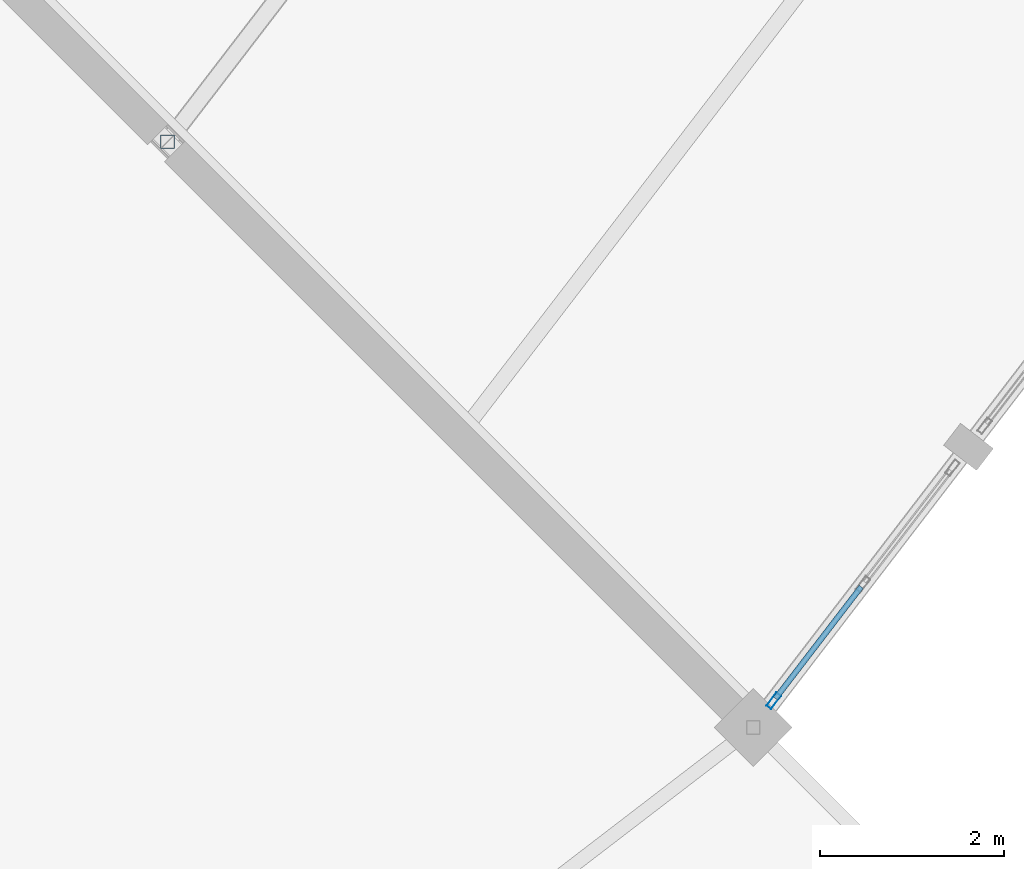
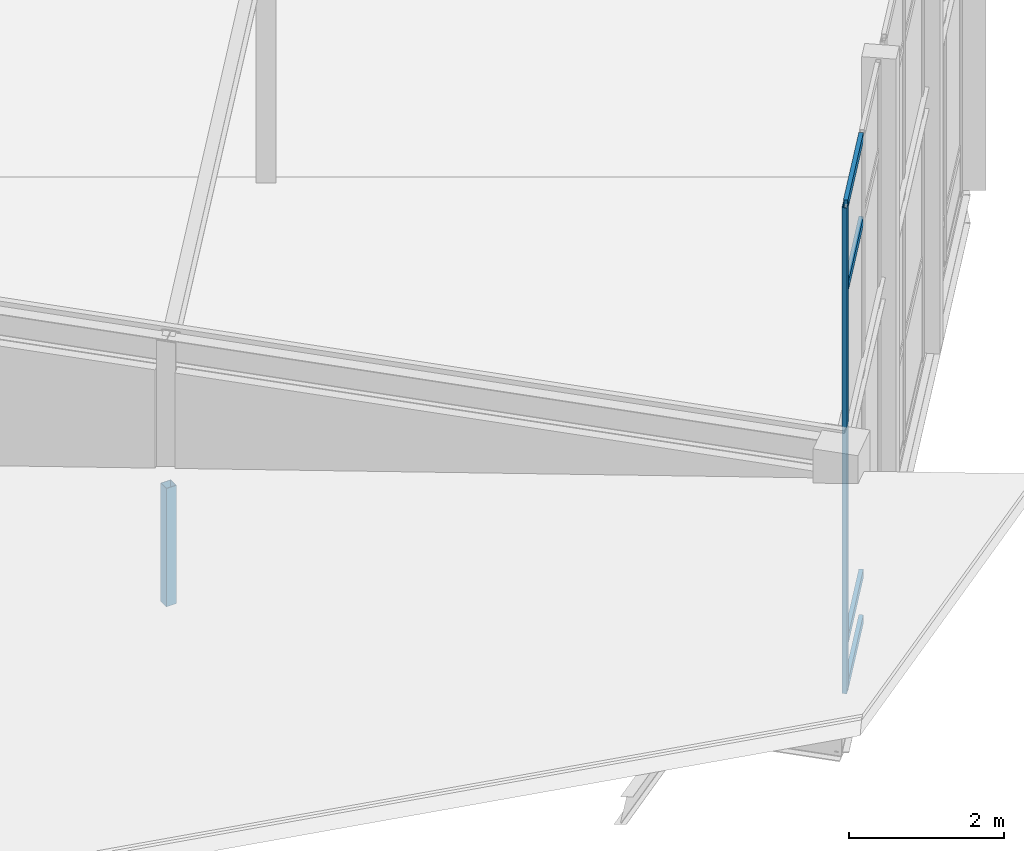
# One storey, part 105 of 185: 6 members, 1 element without a shape of its own.
"""IFC4 building model written with IfcOpenShell, lengths in metres."""

from ifc_helpers import new_model, si_unit, direction, frame, origin, origin_2d, place, context, subcontext, project, spatial, hollow_rectangle, extrude, material, material_profile, profile_set, type_object, element, aggregate, save


model = new_model("IFC4")

# Units and contexts
model_context = context("Model", 3, precision=1e-05, world=origin(), true_north=direction((0.0, 1.0)))
body_context = subcontext(model_context, "Body", "Model", "MODEL_VIEW")
ifc_project = project(units=[si_unit("LENGTHUNIT", "METRE"), si_unit("AREAUNIT", "SQUARE_METRE"), si_unit("VOLUMEUNIT", "CUBIC_METRE"), si_unit("PLANEANGLEUNIT", "RADIAN"), si_unit("MASSUNIT", "GRAM", prefix="KILO")], contexts=[model_context])

# Site, building, storey
site_placement = place(None, origin())
site = spatial("IfcSite", under=ifc_project, at=site_placement, CompositionType="ELEMENT")
building_placement = place(site_placement, origin())
building = spatial("IfcBuilding", under=site, at=building_placement, Name="Vondelvale Polytechnic", CompositionType="ELEMENT")
storey_placement = place(building_placement, frame((0.0, 0.0, 9.60009765625)))
storey = spatial("IfcBuildingStorey", under=building, at=storey_placement, Name="L02", CompositionType="ELEMENT", Elevation=9.60009765625)

# Curtain wall, members
ifc_material_1 = material(Name="Glulam GL18 structural Tasmanian oak (fb = 42 MPa)", Category="wood")
curtain_wall_type = type_object("IfcCurtainWallType", Name="CW-RING-OUTER", PredefinedType="NOTDEFINED", material=ifc_material_1)
curtain_wall_placement = place(storey_placement, origin())
curtain_wall = element("IfcCurtainWall", 1, at=curtain_wall_placement, inside=storey, type_object=curtain_wall_type, Name="L02 architectural curtain wall CW-04-356", PredefinedType="NOTDEFINED")
ifc_material_2 = material(Name="Anodised extruded aluminium 6063-T6", Category="aluminium")
ifc_material_profile_1 = material_profile(ifc_material_2, hollow_rectangle(XDim=0.06494140625, YDim=0.179931640625, WallThickness=0.00390625, at=origin_2d()), Name="CW-MUL-180x65")
ifc_profile_set_1 = profile_set([ifc_material_profile_1], Name="Anodised extruded aluminium 6063-T6")
member_type_1 = type_object("IfcMemberType", Name="CW-MUL-65x180", PredefinedType="MULLION", material=ifc_profile_set_1)
member_1_placement = place(storey_placement, frame((134.749267578125, 39.762939453125, 0.0), z_axis=(0.0, 0.0, 1.0), x_axis=(-0.793333825656, 0.608786860133, 0.0)))
member_1 = element("IfcMember", 2, at=member_1_placement, type_object=member_type_1, Name="CW-04-356 mullion 1", PredefinedType="MULLION", context=body_context, shape_type="SweptSolid", body=[
    extrude(hollow_rectangle(XDim=0.06494140625, YDim=0.179931640625, WallThickness=0.00390625, at=origin_2d()), origin(), (0.0, 0.0, 1.0), 7.661376953125),
])
ifc_material_profile_2 = material_profile(ifc_material_2, hollow_rectangle(XDim=0.06005859375, YDim=0.139892578125, WallThickness=0.00341796875, at=origin_2d()), Name="CW-TRN-140x60")
ifc_profile_set_2 = profile_set([ifc_material_profile_2], Name="Anodised extruded aluminium 6063-T6")
member_type_2 = type_object("IfcMemberType", Name="CW-TRN-60x140", PredefinedType="USERDEFINED", material=ifc_profile_set_2)
member_2_placement = place(storey_placement, frame((134.76904296875, 39.78857421875, 0.02978515625), z_axis=(0.608746385664, 0.793364883229, 0.0), x_axis=(-0.793364883229, 0.608746385664, 0.0)))
member_2 = element("IfcMember", 3, at=member_2_placement, type_object=member_type_2, Name="CW-04-356 transom 1.1", ObjectType="TRANSOM", PredefinedType="USERDEFINED", context=body_context, shape_type="SweptSolid", body=[
    extrude(hollow_rectangle(XDim=0.06005859375, YDim=0.139892578125, WallThickness=0.00341796875, at=origin_2d()), origin(), (0.0, 0.0, 1.0), 1.530029296875),
])
member_3_placement = place(storey_placement, frame((134.76904296875, 39.78857421875, 0.75), z_axis=(0.608746385664, 0.793364883229, 0.0), x_axis=(-0.793364883229, 0.608746385664, 0.0)))
member_3 = element("IfcMember", 4, at=member_3_placement, type_object=member_type_2, Name="CW-04-356 transom 1.2", ObjectType="TRANSOM", PredefinedType="USERDEFINED", context=body_context, shape_type="SweptSolid", body=[
    extrude(hollow_rectangle(XDim=0.06005859375, YDim=0.139892578125, WallThickness=0.00341796875, at=origin_2d()), origin(), (0.0, 0.0, 1.0), 1.530029296875),
])
member_4_placement = place(storey_placement, frame((134.76904296875, 39.78857421875, 6.311279296875), z_axis=(0.608746385664, 0.793364883229, 0.0), x_axis=(-0.793364883229, 0.608746385664, 0.0)))
member_4 = element("IfcMember", 5, at=member_4_placement, type_object=member_type_2, Name="CW-04-356 transom 1.3", ObjectType="TRANSOM", PredefinedType="USERDEFINED", context=body_context, shape_type="SweptSolid", body=[
    extrude(hollow_rectangle(XDim=0.06005859375, YDim=0.139892578125, WallThickness=0.00341796875, at=origin_2d()), origin(), (0.0, 0.0, 1.0), 1.530029296875),
])
member_5_placement = place(storey_placement, frame((134.76904296875, 39.78857421875, 7.63134765625), z_axis=(0.608746385664, 0.793364883229, 0.0), x_axis=(-0.793364883229, 0.608746385664, 0.0)))
member_5 = element("IfcMember", 6, at=member_5_placement, type_object=member_type_2, Name="CW-04-356 transom 1.4", ObjectType="TRANSOM", PredefinedType="USERDEFINED", context=body_context, shape_type="SweptSolid", body=[
    extrude(hollow_rectangle(XDim=0.06005859375, YDim=0.139892578125, WallThickness=0.00341796875, at=origin_2d()), origin(), (0.0, 0.0, 1.0), 1.530029296875),
])
aggregate(curtain_wall, [member_1, member_2, member_3, member_4, member_5])

# Member
ifc_material_3 = material(Name="Steel C350L0 (fy = 350 MPa)", Category="steel")
ifc_material_profile_3 = material_profile(ifc_material_3, hollow_rectangle(XDim=0.14990234375, YDim=0.14990234375, WallThickness=0.006103515625, at=origin_2d()), Name="150x150x6.0SHS")
ifc_profile_set_3 = profile_set([ifc_material_profile_3], Name="Steel C350L0 (fy = 350 MPa)")
member_type_3 = type_object("IfcMemberType", Name="ROOF TRUSS POST 150SHS", PredefinedType="POST", material=ifc_profile_set_3)
member_6_placement = place(storey_placement, frame((128.1630859375, 45.8369140625, 0.0), z_axis=(0.0, 0.0, 1.0), x_axis=(1.0, 0.0, 0.0)))
element("IfcMember", 7, at=member_6_placement, inside=storey, type_object=member_type_3, Name="Ring step mid roof post 20", PredefinedType="POST", context=body_context, shape_type="SweptSolid", body=[
    extrude(hollow_rectangle(XDim=0.14990234375, YDim=0.14990234375, WallThickness=0.006103515625, at=origin_2d()), origin(), (0.0, 0.0, 1.0), 1.86572265625),
])

save(model, "model.ifc")
